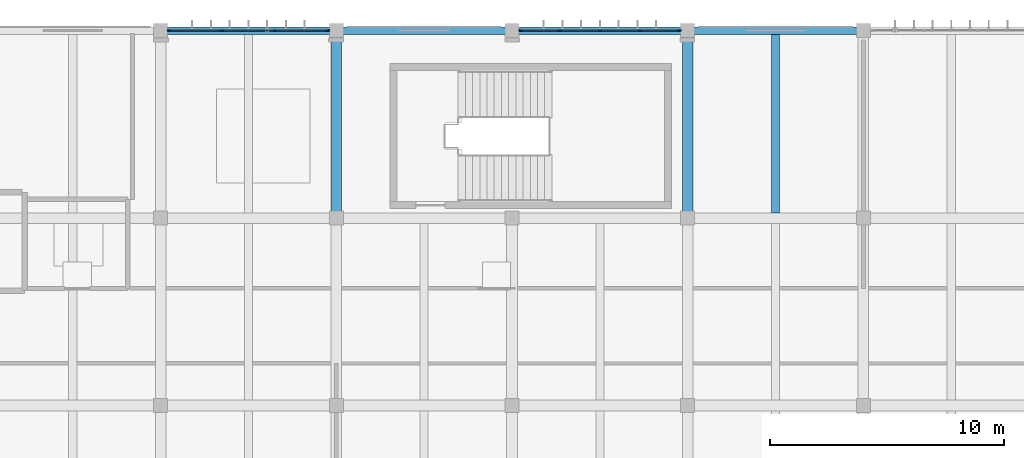
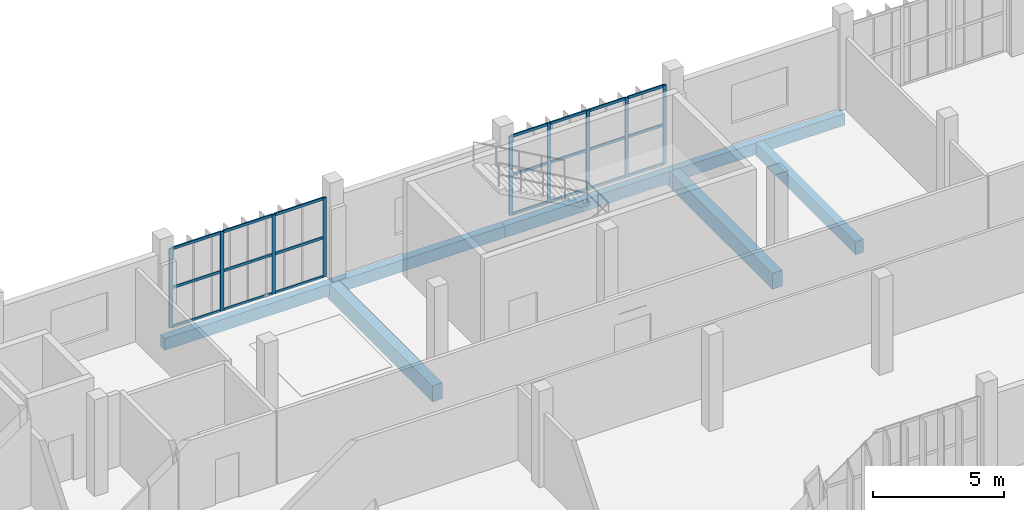
# One storey, part 24 of 81: 30 members, 7 beams, 2 elements without a shape of their own.
"""IFC4 building model written with IfcOpenShell, lengths in metres."""

from ifc_helpers import new_model, si_unit, direction, frame, origin, origin_2d, place, context, subcontext, project, spatial, rectangle, extrude, material, material_profile, profile_set, type_object, element, aggregate, save


model = new_model("IFC4")

# Units and contexts
model_context = context("Model", 3, precision=1e-05, world=origin(), true_north=direction((0.0, 1.0)))
body_context = subcontext(model_context, "Body", "Model", "MODEL_VIEW")
ifc_project = project(units=[si_unit("LENGTHUNIT", "METRE"), si_unit("AREAUNIT", "SQUARE_METRE"), si_unit("VOLUMEUNIT", "CUBIC_METRE"), si_unit("PLANEANGLEUNIT", "RADIAN"), si_unit("MASSUNIT", "GRAM", prefix="KILO")], contexts=[model_context])

# Site, building, storey
site_placement = place(None, origin())
site = spatial("IfcSite", under=ifc_project, at=site_placement, CompositionType="ELEMENT")
building_placement = place(site_placement, origin())
building = spatial("IfcBuilding", under=site, at=building_placement, Name="Vourika Railside Aquatics Centre", CompositionType="ELEMENT")
storey_placement = place(building_placement, frame((0.0, 0.0, 4.800048828125)))
storey = spatial("IfcBuildingStorey", under=building, at=storey_placement, Name="L01", CompositionType="ELEMENT", Elevation=4.800048828125)

# Beams
ifc_material_1 = material(Name="Concrete C35/45", Category="concrete")
ifc_material_profile_1 = material_profile(ifc_material_1, rectangle(XDim=0.449951171875, YDim=0.75, at=origin_2d()), Name="RC 450x750")
ifc_profile_set_1 = profile_set([ifc_material_profile_1], Name="Concrete C35/45")
beam_type_1 = type_object("IfcBeamType", Name="BM-GIRD-450x750", PredefinedType="BEAM", material=ifc_profile_set_1)
for number, where, z_axis, x_axis, name in (
    (1, (73.5, 108.0, -0.675048828125), (0.0, 1.0, 0.0), (-1.0, 0.0, 0.0), "Floor Girder GY-L01-225"),
    (2, (88.5, 108.0, -0.675048828125), (0.0, 1.0, 0.0), (-1.0, 0.0, 0.0), "Floor Girder GY-L01-235"),
):
    element("IfcBeam", number, at=place(storey_placement, frame(where, z_axis=z_axis, x_axis=x_axis)), inside=storey, type_object=beam_type_1, Name=name, PredefinedType="BEAM", context=body_context, shape_type="SweptSolid", body=[
        extrude(rectangle(XDim=0.449951171875, YDim=0.75, at=origin_2d()), origin(), (0.0, 0.0, 1.0), 8.0),
    ])
ifc_material_profile_2 = material_profile(ifc_material_1, rectangle(XDim=0.35009765625, YDim=0.60009765625, at=origin_2d()), Name="RC 350x600")
ifc_profile_set_2 = profile_set([ifc_material_profile_2], Name="Concrete C35/45")
beam_type_2 = type_object("IfcBeamType", Name="BM-SEC-350x600", PredefinedType="JOIST", material=ifc_profile_set_2)
beam_placement = place(storey_placement, frame((92.25, 108.22509765625, -0.60009765625), z_axis=(0.0, 1.0, 0.0), x_axis=(-1.0, 0.0, 0.0)))
element("IfcBeam", 3, at=beam_placement, inside=storey, type_object=beam_type_2, Name="Secondary Joist JY-L01-384", PredefinedType="JOIST", context=body_context, shape_type="SweptSolid", body=[
    extrude(rectangle(XDim=0.35009765625, YDim=0.60009765625, at=origin_2d()), origin(), (0.0, 0.0, 1.0), 7.614990234375),
])
ifc_material_profile_3 = material_profile(ifc_material_1, rectangle(XDim=0.320068359375, YDim=0.550048828125, at=origin_2d()), Name="RC 320x550")
ifc_profile_set_3 = profile_set([ifc_material_profile_3], Name="Concrete C35/45")
beam_type_3 = type_object("IfcBeamType", Name="BM-SPAN-320x550", PredefinedType="SPANDREL", material=ifc_profile_set_3)
for number, where, z_axis, x_axis, name in (
    (4, (66.0, 116.0, -0.574951171875), (1.0, 0.0, 0.0), (0.0, 1.0, 0.0), "Floor Beam GX-L01-160"),
    (5, (73.5, 116.0, -0.574951171875), (1.0, 0.0, 0.0), (0.0, 1.0, 0.0), "Floor Beam GX-L01-161"),
    (6, (81.0, 116.0, -0.574951171875), (1.0, 0.0, 0.0), (0.0, 1.0, 0.0), "Floor Beam GX-L01-162"),
    (7, (88.5, 116.0, -0.574951171875), (1.0, 0.0, 0.0), (0.0, 1.0, 0.0), "Floor Beam GX-L01-163"),
):
    element("IfcBeam", number, at=place(storey_placement, frame(where, z_axis=z_axis, x_axis=x_axis)), inside=storey, type_object=beam_type_3, Name=name, PredefinedType="SPANDREL", context=body_context, shape_type="SweptSolid", body=[
        extrude(rectangle(XDim=0.320068359375, YDim=0.550048828125, at=origin_2d()), origin(), (0.0, 0.0, 1.0), 7.5),
    ])

# Curtain wall, members
ifc_material_2 = material(Name="Anodized thermally broken aluminium", Category="aluminium")
curtain_wall_type = type_object("IfcCurtainWallType", Name="CW-FIT1", PredefinedType="NOTDEFINED", material=ifc_material_2)
curtain_wall_1_placement = place(storey_placement, origin())
curtain_wall_1 = element("IfcCurtainWall", 8, at=curtain_wall_1_placement, inside=storey, type_object=curtain_wall_type, Name="North Boulevard Curtain Wall L01-7", PredefinedType="NOTDEFINED")
ifc_material_3 = material(Name="Anodized aluminium mullion", Category="aluminium")
ifc_material_profile_4 = material_profile(ifc_material_3, rectangle(XDim=0.06201171875, YDim=0.156005859375, at=origin_2d()), Name="ALU-M 62x156")
ifc_profile_set_4 = profile_set([ifc_material_profile_4], Name="Anodized aluminium mullion")
member_type_1 = type_object("IfcMemberType", Name="CWM-FIT1", PredefinedType="MULLION", material=ifc_profile_set_4)
member_1_placement = place(storey_placement, frame((73.138916015625, 116.0, 0.0), z_axis=(0.0, 0.0, 1.0), x_axis=(0.0, -1.0, 0.0)))
member_1 = element("IfcMember", 9, at=member_1_placement, type_object=member_type_1, Name="CW15 mullion 1", PredefinedType="MULLION", context=body_context, shape_type="SweptSolid", body=[
    extrude(rectangle(XDim=0.06201171875, YDim=0.156005859375, at=origin_2d()), origin(), (0.0, 0.0, 1.0), 3.699951171875),
])
member_2_placement = place(storey_placement, frame((70.889892578125, 116.0, 0.0), z_axis=(0.0, 0.0, 1.0), x_axis=(0.0, -1.0, 0.0)))
member_2 = element("IfcMember", 10, at=member_2_placement, type_object=member_type_1, Name="CW15 mullion 2", PredefinedType="MULLION", context=body_context, shape_type="SweptSolid", body=[
    extrude(rectangle(XDim=0.06201171875, YDim=0.156005859375, at=origin_2d()), origin(), (0.0, 0.0, 1.0), 3.699951171875),
])
member_3_placement = place(storey_placement, frame((68.610107421875, 116.0, 0.0), z_axis=(0.0, 0.0, 1.0), x_axis=(0.0, -1.0, 0.0)))
member_3 = element("IfcMember", 11, at=member_3_placement, type_object=member_type_1, Name="CW15 mullion 3", PredefinedType="MULLION", context=body_context, shape_type="SweptSolid", body=[
    extrude(rectangle(XDim=0.06201171875, YDim=0.156005859375, at=origin_2d()), origin(), (0.0, 0.0, 1.0), 3.699951171875),
])
member_4_placement = place(storey_placement, frame((66.361083984375, 116.0, 0.0), z_axis=(0.0, 0.0, 1.0), x_axis=(0.0, -1.0, 0.0)))
member_4 = element("IfcMember", 12, at=member_4_placement, type_object=member_type_1, Name="CW15 mullion 4", PredefinedType="MULLION", context=body_context, shape_type="SweptSolid", body=[
    extrude(rectangle(XDim=0.06201171875, YDim=0.156005859375, at=origin_2d()), origin(), (0.0, 0.0, 1.0), 3.699951171875),
])

curtain_wall_2_placement = place(storey_placement, origin())
curtain_wall_2 = element("IfcCurtainWall", 13, at=curtain_wall_2_placement, inside=storey, type_object=curtain_wall_type, Name="North Boulevard Curtain Wall L01-9", PredefinedType="NOTDEFINED")
member_5_placement = place(storey_placement, frame((88.138916015625, 116.0, 0.0), z_axis=(0.0, 0.0, 1.0), x_axis=(0.0, -1.0, 0.0)))
member_5 = element("IfcMember", 14, at=member_5_placement, type_object=member_type_1, Name="CW15 mullion 1", PredefinedType="MULLION", context=body_context, shape_type="SweptSolid", body=[
    extrude(rectangle(XDim=0.06201171875, YDim=0.156005859375, at=origin_2d()), origin(), (0.0, 0.0, 1.0), 3.699951171875),
])
member_6_placement = place(storey_placement, frame((86.4599609375, 116.0, 0.0), z_axis=(0.0, 0.0, 1.0), x_axis=(0.0, -1.0, 0.0)))
member_6 = element("IfcMember", 15, at=member_6_placement, type_object=member_type_1, Name="CW15 mullion 2", PredefinedType="MULLION", context=body_context, shape_type="SweptSolid", body=[
    extrude(rectangle(XDim=0.06201171875, YDim=0.156005859375, at=origin_2d()), origin(), (0.0, 0.0, 1.0), 3.699951171875),
])
member_7_placement = place(storey_placement, frame((84.75, 116.0, 0.0), z_axis=(0.0, 0.0, 1.0), x_axis=(0.0, -1.0, 0.0)))
member_7 = element("IfcMember", 16, at=member_7_placement, type_object=member_type_1, Name="CW15 mullion 3", PredefinedType="MULLION", context=body_context, shape_type="SweptSolid", body=[
    extrude(rectangle(XDim=0.06201171875, YDim=0.156005859375, at=origin_2d()), origin(), (0.0, 0.0, 1.0), 3.699951171875),
])
member_8_placement = place(storey_placement, frame((83.0400390625, 116.0, 0.0), z_axis=(0.0, 0.0, 1.0), x_axis=(0.0, -1.0, 0.0)))
member_8 = element("IfcMember", 17, at=member_8_placement, type_object=member_type_1, Name="CW15 mullion 4", PredefinedType="MULLION", context=body_context, shape_type="SweptSolid", body=[
    extrude(rectangle(XDim=0.06201171875, YDim=0.156005859375, at=origin_2d()), origin(), (0.0, 0.0, 1.0), 3.699951171875),
])
member_9_placement = place(storey_placement, frame((81.361083984375, 116.0, 0.0), z_axis=(0.0, 0.0, 1.0), x_axis=(0.0, -1.0, 0.0)))
member_9 = element("IfcMember", 18, at=member_9_placement, type_object=member_type_1, Name="CW15 mullion 5", PredefinedType="MULLION", context=body_context, shape_type="SweptSolid", body=[
    extrude(rectangle(XDim=0.06201171875, YDim=0.156005859375, at=origin_2d()), origin(), (0.0, 0.0, 1.0), 3.699951171875),
])

# Member
ifc_material_4 = material(Name="Anodized aluminium transom", Category="aluminium")
ifc_material_profile_5 = material_profile(ifc_material_4, rectangle(XDim=0.06201171875, YDim=0.1220703125, at=origin_2d()), Name="ALU-T 62x122")
ifc_profile_set_5 = profile_set([ifc_material_profile_5], Name="Anodized aluminium transom")
member_type_2 = type_object("IfcMemberType", Name="CWT-FIT1", PredefinedType="USERDEFINED", material=ifc_profile_set_5)
member_10_placement = place(storey_placement, frame((73.10791015625, 116.0, 0.031005859375), z_axis=(-1.0, 0.0, 0.0), x_axis=(0.0, -1.0, 0.0)))
member_10 = element("IfcMember", 19, at=member_10_placement, type_object=member_type_2, Name="CW15 transom 1.1", ObjectType="TRANSOM", PredefinedType="USERDEFINED", context=body_context, shape_type="SweptSolid", body=[
    extrude(rectangle(XDim=0.06201171875, YDim=0.1220703125, at=origin_2d()), origin(), (0.0, 0.0, 1.0), 2.18701171875),
])

member_11_placement = place(storey_placement, frame((73.10791015625, 116.0, 1.849853515625), z_axis=(-1.0, 0.0, 0.0), x_axis=(0.0, -1.0, 0.0)))
member_11 = element("IfcMember", 20, at=member_11_placement, type_object=member_type_2, Name="CW15 transom 1.2", ObjectType="TRANSOM", PredefinedType="USERDEFINED", context=body_context, shape_type="SweptSolid", body=[
    extrude(rectangle(XDim=0.06201171875, YDim=0.1220703125, at=origin_2d()), origin(), (0.0, 0.0, 1.0), 2.18701171875),
])

member_12_placement = place(storey_placement, frame((73.10791015625, 116.0, 3.6689453125), z_axis=(-1.0, 0.0, 0.0), x_axis=(0.0, -1.0, 0.0)))
member_12 = element("IfcMember", 21, at=member_12_placement, type_object=member_type_2, Name="CW15 transom 1.3", ObjectType="TRANSOM", PredefinedType="USERDEFINED", context=body_context, shape_type="SweptSolid", body=[
    extrude(rectangle(XDim=0.06201171875, YDim=0.1220703125, at=origin_2d()), origin(), (0.0, 0.0, 1.0), 2.18701171875),
])

member_13_placement = place(storey_placement, frame((70.85888671875, 116.0, 0.031005859375), z_axis=(-1.0, 0.0, 0.0), x_axis=(0.0, -1.0, 0.0)))
member_13 = element("IfcMember", 22, at=member_13_placement, type_object=member_type_2, Name="CW15 transom 2.1", ObjectType="TRANSOM", PredefinedType="USERDEFINED", context=body_context, shape_type="SweptSolid", body=[
    extrude(rectangle(XDim=0.06201171875, YDim=0.1220703125, at=origin_2d()), origin(), (0.0, 0.0, 1.0), 2.2177734375),
])

member_14_placement = place(storey_placement, frame((70.85888671875, 116.0, 1.849853515625), z_axis=(-1.0, 0.0, 0.0), x_axis=(0.0, -1.0, 0.0)))
member_14 = element("IfcMember", 23, at=member_14_placement, type_object=member_type_2, Name="CW15 transom 2.2", ObjectType="TRANSOM", PredefinedType="USERDEFINED", context=body_context, shape_type="SweptSolid", body=[
    extrude(rectangle(XDim=0.06201171875, YDim=0.1220703125, at=origin_2d()), origin(), (0.0, 0.0, 1.0), 2.2177734375),
])

member_15_placement = place(storey_placement, frame((70.85888671875, 116.0, 3.6689453125), z_axis=(-1.0, 0.0, 0.0), x_axis=(0.0, -1.0, 0.0)))
member_15 = element("IfcMember", 24, at=member_15_placement, type_object=member_type_2, Name="CW15 transom 2.3", ObjectType="TRANSOM", PredefinedType="USERDEFINED", context=body_context, shape_type="SweptSolid", body=[
    extrude(rectangle(XDim=0.06201171875, YDim=0.1220703125, at=origin_2d()), origin(), (0.0, 0.0, 1.0), 2.2177734375),
])

member_16_placement = place(storey_placement, frame((68.5791015625, 116.0, 0.031005859375), z_axis=(-1.0, 0.0, 0.0), x_axis=(0.0, -1.0, 0.0)))
member_16 = element("IfcMember", 25, at=member_16_placement, type_object=member_type_2, Name="CW15 transom 3.1", ObjectType="TRANSOM", PredefinedType="USERDEFINED", context=body_context, shape_type="SweptSolid", body=[
    extrude(rectangle(XDim=0.06201171875, YDim=0.1220703125, at=origin_2d()), origin(), (0.0, 0.0, 1.0), 2.18701171875),
])

member_17_placement = place(storey_placement, frame((68.5791015625, 116.0, 1.849853515625), z_axis=(-1.0, 0.0, 0.0), x_axis=(0.0, -1.0, 0.0)))
member_17 = element("IfcMember", 26, at=member_17_placement, type_object=member_type_2, Name="CW15 transom 3.2", ObjectType="TRANSOM", PredefinedType="USERDEFINED", context=body_context, shape_type="SweptSolid", body=[
    extrude(rectangle(XDim=0.06201171875, YDim=0.1220703125, at=origin_2d()), origin(), (0.0, 0.0, 1.0), 2.18701171875),
])

member_18_placement = place(storey_placement, frame((68.5791015625, 116.0, 3.6689453125), z_axis=(-1.0, 0.0, 0.0), x_axis=(0.0, -1.0, 0.0)))
member_18 = element("IfcMember", 27, at=member_18_placement, type_object=member_type_2, Name="CW15 transom 3.3", ObjectType="TRANSOM", PredefinedType="USERDEFINED", context=body_context, shape_type="SweptSolid", body=[
    extrude(rectangle(XDim=0.06201171875, YDim=0.1220703125, at=origin_2d()), origin(), (0.0, 0.0, 1.0), 2.18701171875),
])

aggregate(curtain_wall_1, [member_1, member_2, member_3, member_4, member_10, member_11, member_12, member_13, member_14, member_15, member_16, member_17, member_18])

member_19_placement = place(storey_placement, frame((88.10791015625, 116.0, 0.031005859375), z_axis=(-1.0, 0.0, 0.0), x_axis=(0.0, -1.0, 0.0)))
member_19 = element("IfcMember", 28, at=member_19_placement, type_object=member_type_2, Name="CW15 transom 1.1", ObjectType="TRANSOM", PredefinedType="USERDEFINED", context=body_context, shape_type="SweptSolid", body=[
    extrude(rectangle(XDim=0.06201171875, YDim=0.1220703125, at=origin_2d()), origin(), (0.0, 0.0, 1.0), 1.616943359375),
])

member_20_placement = place(storey_placement, frame((88.10791015625, 116.0, 1.849853515625), z_axis=(-1.0, 0.0, 0.0), x_axis=(0.0, -1.0, 0.0)))
member_20 = element("IfcMember", 29, at=member_20_placement, type_object=member_type_2, Name="CW15 transom 1.2", ObjectType="TRANSOM", PredefinedType="USERDEFINED", context=body_context, shape_type="SweptSolid", body=[
    extrude(rectangle(XDim=0.06201171875, YDim=0.1220703125, at=origin_2d()), origin(), (0.0, 0.0, 1.0), 1.616943359375),
])

member_21_placement = place(storey_placement, frame((88.10791015625, 116.0, 3.6689453125), z_axis=(-1.0, 0.0, 0.0), x_axis=(0.0, -1.0, 0.0)))
member_21 = element("IfcMember", 30, at=member_21_placement, type_object=member_type_2, Name="CW15 transom 1.3", ObjectType="TRANSOM", PredefinedType="USERDEFINED", context=body_context, shape_type="SweptSolid", body=[
    extrude(rectangle(XDim=0.06201171875, YDim=0.1220703125, at=origin_2d()), origin(), (0.0, 0.0, 1.0), 1.616943359375),
])

member_22_placement = place(storey_placement, frame((86.428955078125, 116.0, 0.031005859375), z_axis=(-1.0, 0.0, 0.0), x_axis=(0.0, -1.0, 0.0)))
member_22 = element("IfcMember", 31, at=member_22_placement, type_object=member_type_2, Name="CW15 transom 2.1", ObjectType="TRANSOM", PredefinedType="USERDEFINED", context=body_context, shape_type="SweptSolid", body=[
    extrude(rectangle(XDim=0.06201171875, YDim=0.1220703125, at=origin_2d()), origin(), (0.0, 0.0, 1.0), 1.64794921875),
])

member_23_placement = place(storey_placement, frame((86.428955078125, 116.0, 1.849853515625), z_axis=(-1.0, 0.0, 0.0), x_axis=(0.0, -1.0, 0.0)))
member_23 = element("IfcMember", 32, at=member_23_placement, type_object=member_type_2, Name="CW15 transom 2.2", ObjectType="TRANSOM", PredefinedType="USERDEFINED", context=body_context, shape_type="SweptSolid", body=[
    extrude(rectangle(XDim=0.06201171875, YDim=0.1220703125, at=origin_2d()), origin(), (0.0, 0.0, 1.0), 1.64794921875),
])

member_24_placement = place(storey_placement, frame((86.428955078125, 116.0, 3.6689453125), z_axis=(-1.0, 0.0, 0.0), x_axis=(0.0, -1.0, 0.0)))
member_24 = element("IfcMember", 33, at=member_24_placement, type_object=member_type_2, Name="CW15 transom 2.3", ObjectType="TRANSOM", PredefinedType="USERDEFINED", context=body_context, shape_type="SweptSolid", body=[
    extrude(rectangle(XDim=0.06201171875, YDim=0.1220703125, at=origin_2d()), origin(), (0.0, 0.0, 1.0), 1.64794921875),
])

member_25_placement = place(storey_placement, frame((84.718994140625, 116.0, 0.031005859375), z_axis=(-1.0, 0.0, 0.0), x_axis=(0.0, -1.0, 0.0)))
member_25 = element("IfcMember", 34, at=member_25_placement, type_object=member_type_2, Name="CW15 transom 3.1", ObjectType="TRANSOM", PredefinedType="USERDEFINED", context=body_context, shape_type="SweptSolid", body=[
    extrude(rectangle(XDim=0.06201171875, YDim=0.1220703125, at=origin_2d()), origin(), (0.0, 0.0, 1.0), 1.64794921875),
])

member_26_placement = place(storey_placement, frame((84.718994140625, 116.0, 1.849853515625), z_axis=(-1.0, 0.0, 0.0), x_axis=(0.0, -1.0, 0.0)))
member_26 = element("IfcMember", 35, at=member_26_placement, type_object=member_type_2, Name="CW15 transom 3.2", ObjectType="TRANSOM", PredefinedType="USERDEFINED", context=body_context, shape_type="SweptSolid", body=[
    extrude(rectangle(XDim=0.06201171875, YDim=0.1220703125, at=origin_2d()), origin(), (0.0, 0.0, 1.0), 1.64794921875),
])

member_27_placement = place(storey_placement, frame((84.718994140625, 116.0, 3.6689453125), z_axis=(-1.0, 0.0, 0.0), x_axis=(0.0, -1.0, 0.0)))
member_27 = element("IfcMember", 36, at=member_27_placement, type_object=member_type_2, Name="CW15 transom 3.3", ObjectType="TRANSOM", PredefinedType="USERDEFINED", context=body_context, shape_type="SweptSolid", body=[
    extrude(rectangle(XDim=0.06201171875, YDim=0.1220703125, at=origin_2d()), origin(), (0.0, 0.0, 1.0), 1.64794921875),
])

member_28_placement = place(storey_placement, frame((83.009033203125, 116.0, 0.031005859375), z_axis=(-1.0, 0.0, 0.0), x_axis=(0.0, -1.0, 0.0)))
member_28 = element("IfcMember", 37, at=member_28_placement, type_object=member_type_2, Name="CW15 transom 4.1", ObjectType="TRANSOM", PredefinedType="USERDEFINED", context=body_context, shape_type="SweptSolid", body=[
    extrude(rectangle(XDim=0.06201171875, YDim=0.1220703125, at=origin_2d()), origin(), (0.0, 0.0, 1.0), 1.616943359375),
])

member_29_placement = place(storey_placement, frame((83.009033203125, 116.0, 1.849853515625), z_axis=(-1.0, 0.0, 0.0), x_axis=(0.0, -1.0, 0.0)))
member_29 = element("IfcMember", 38, at=member_29_placement, type_object=member_type_2, Name="CW15 transom 4.2", ObjectType="TRANSOM", PredefinedType="USERDEFINED", context=body_context, shape_type="SweptSolid", body=[
    extrude(rectangle(XDim=0.06201171875, YDim=0.1220703125, at=origin_2d()), origin(), (0.0, 0.0, 1.0), 1.616943359375),
])

member_30_placement = place(storey_placement, frame((83.009033203125, 116.0, 3.6689453125), z_axis=(-1.0, 0.0, 0.0), x_axis=(0.0, -1.0, 0.0)))
member_30 = element("IfcMember", 39, at=member_30_placement, type_object=member_type_2, Name="CW15 transom 4.3", ObjectType="TRANSOM", PredefinedType="USERDEFINED", context=body_context, shape_type="SweptSolid", body=[
    extrude(rectangle(XDim=0.06201171875, YDim=0.1220703125, at=origin_2d()), origin(), (0.0, 0.0, 1.0), 1.616943359375),
])

aggregate(curtain_wall_2, [member_5, member_6, member_7, member_8, member_9, member_19, member_20, member_21, member_22, member_23, member_24, member_25, member_26, member_27, member_28, member_29, member_30])

save(model, "model.ifc")
